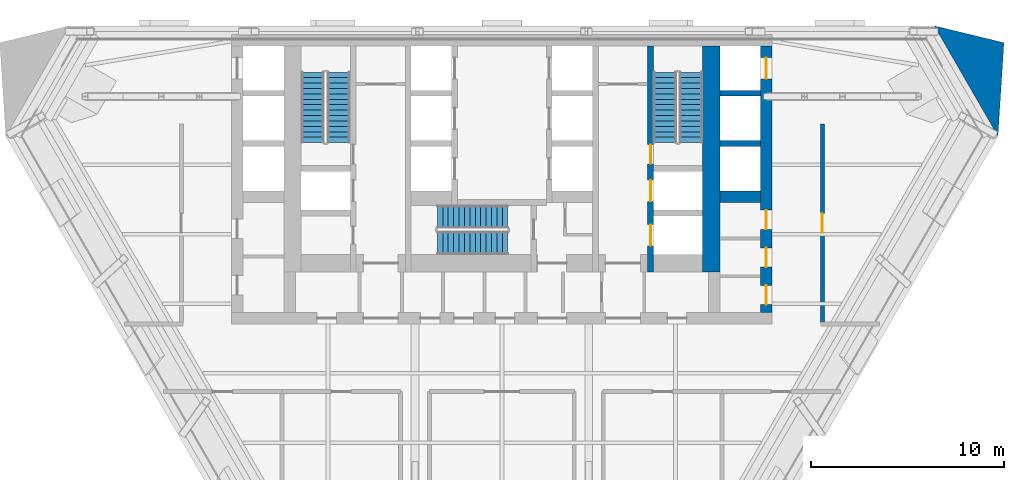
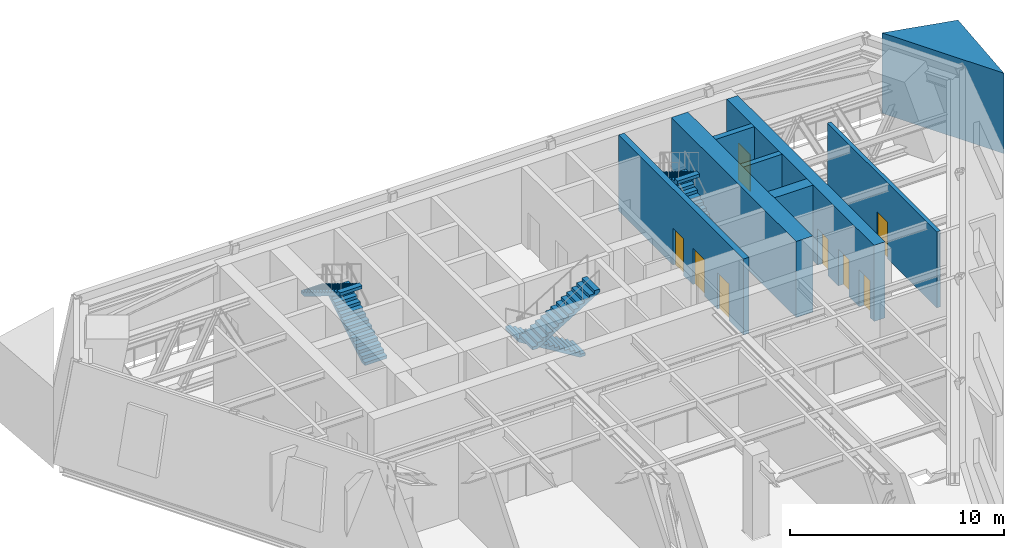
# One storey, part 5 of 9: 8 doors, 8 walls, 6 stair flights, 8 openings, 3 elements without a shape of their own.
"""IFC4 building model written with IfcOpenShell, lengths in metres."""

from ifc_helpers import new_model, si_unit, direction, frame, frame_2d, origin, place, context, subcontext, project, spatial, polyline, rectangle, outline, extrude, material, layer, layer_set, type_object, element, fill, aggregate, save


model = new_model("IFC4")

# Units and contexts
model_context = context("Model", 3, precision=1e-05, world=origin(), true_north=direction((0.0, 1.0)))
body_context = subcontext(model_context, "Body", "Model", "MODEL_VIEW")
ifc_project = project(units=[si_unit("LENGTHUNIT", "METRE"), si_unit("AREAUNIT", "SQUARE_METRE"), si_unit("VOLUMEUNIT", "CUBIC_METRE"), si_unit("PLANEANGLEUNIT", "RADIAN"), si_unit("MASSUNIT", "GRAM", prefix="KILO")], contexts=[model_context])

# Site, building, storey
site_placement = place(None, origin())
site = spatial("IfcSite", under=ifc_project, at=site_placement, CompositionType="ELEMENT")
building_placement = place(site_placement, origin())
building = spatial("IfcBuilding", under=site, at=building_placement, Name="Aloe Facet Convention Tower", CompositionType="ELEMENT")
storey_placement = place(building_placement, frame((0.0, 0.0, 77.0)))
storey = spatial("IfcBuildingStorey", under=building, at=storey_placement, Name="L18", CompositionType="ELEMENT", Elevation=77.0)

# Wall, openings, doors
ifc_material_1 = material(Name="Concrete C80/95", Category="concrete")
ifc_layer_1 = layer(ifc_material_1, 0.300048828125)
ifc_layer_set_1 = layer_set([ifc_layer_1], Name="CR-W-RC300-C8095")
wall_type_1 = type_object("IfcWallType", Name="CR-W-RC300-C8095", PredefinedType="SOLIDWALL", material=ifc_layer_set_1)
wall_1_placement = place(storey_placement, frame((87.699951171875, 133.949951171875, 0.0), z_axis=(0.0, 0.0, 1.0), x_axis=(0.0, -1.0, 0.0)))
wall_1 = element("IfcWall", 1, at=wall_1_placement, inside=storey, type_object=wall_type_1, Name="Core wall L18-042", PredefinedType="SOLIDWALL", context=body_context, shape_type="SweptSolid", body=[
    extrude(rectangle(XDim=11.699951171875, YDim=0.300048828125, at=frame_2d((5.85009765625, 0.0))), origin(), (0.0, 0.0, 1.0), 4.35009765625),
])
opening_1_placement = place(wall_1_placement, frame((6.949951171875, 0.0, 0.0)))
opening_1 = element("IfcOpeningElement", 2, at=opening_1_placement, cuts=wall_1, Name="Opening LD-FF2-L18", PredefinedType="OPENING", context=body_context, shape_type="SweptSolid", body=[
    extrude(rectangle(XDim=1.10009765625, YDim=2.10009765625, at=frame_2d((0.550048828125, 1.050048828125))), frame((0.0, 0.16015625, 0.0), z_axis=(0.0, -1.0, 0.0), x_axis=(1.0, 0.0, 0.0)), (0.0, 0.0, 1.0), 0.320068359375),
])
opening_2_placement = place(wall_1_placement, frame((5.10009765625, 0.0, 0.0)))
opening_2 = element("IfcOpeningElement", 3, at=opening_2_placement, cuts=wall_1, Name="Opening L18-CD31", PredefinedType="OPENING", context=body_context, shape_type="SweptSolid", body=[
    extrude(rectangle(XDim=1.0, YDim=2.10009765625, at=frame_2d((0.5, 1.050048828125))), frame((0.0, 0.16015625, 0.0), z_axis=(0.0, -1.0, 0.0), x_axis=(1.0, 0.0, 0.0)), (0.0, 0.0, 1.0), 0.320068359375),
])
opening_3_placement = place(wall_1_placement, frame((9.25, 0.0, 0.0)))
opening_3 = element("IfcOpeningElement", 4, at=opening_3_placement, cuts=wall_1, Name="Opening LD-SV1-L18", PredefinedType="OPENING", context=body_context, shape_type="SweptSolid", body=[
    extrude(rectangle(XDim=1.10009765625, YDim=2.10009765625, at=frame_2d((0.550048828125, 1.050048828125))), frame((0.0, 0.16015625, 0.0), z_axis=(0.0, -1.0, 0.0), x_axis=(1.0, 0.0, 0.0)), (0.0, 0.0, 1.0), 0.320068359375),
])
ifc_material_2 = material(Name="Steel fire-resisting door set FD120", Category="steel")
door_type_1 = type_object("IfcDoorType", Name="CR-D-STAIR-1000-FD120-SLEFT", OperationType="SINGLE_SWING_LEFT", PredefinedType="DOOR", material=ifc_material_2)
door_1_placement = place(opening_2_placement, origin())
door_1 = element("IfcDoor", 5, at=door_1_placement, inside=storey, type_object=door_type_1, Name="Core door L18-CD31", OperationType="SINGLE_SWING_LEFT", OverallHeight=2.10009765625, OverallWidth=1.0, PredefinedType="DOOR", context=body_context, shape_type="SweptSolid", body=[
    extrude(rectangle(XDim=1.0, YDim=2.10009765625, at=frame_2d((0.5, 1.050048828125))), frame((0.0, 0.02490234375, 0.0), z_axis=(0.0, -1.0, 0.0), x_axis=(1.0, 0.0, 0.0)), (0.0, 0.0, 1.0), 0.050048828125),
])
fill(opening_2, door_1)
ifc_material_3 = material(Name="Stainless steel sliding landing door", Category="steel")
door_type_2 = type_object("IfcDoorType", Name="CR-LD-1100-FD120-_LEFT", OperationType="SLIDING_TO_LEFT", PredefinedType="DOOR", material=ifc_material_3)
door_2_placement = place(opening_1_placement, origin())
door_2 = element("IfcDoor", 6, at=door_2_placement, inside=storey, type_object=door_type_2, Name="Landing door FF2 L18", OperationType="SLIDING_TO_LEFT", OverallHeight=2.10009765625, OverallWidth=1.10009765625, PredefinedType="DOOR", context=body_context, shape_type="SweptSolid", body=[
    extrude(rectangle(XDim=1.10009765625, YDim=2.10009765625, at=frame_2d((0.550048828125, 1.050048828125))), frame((0.0, 0.02490234375, 0.0), z_axis=(0.0, -1.0, 0.0), x_axis=(1.0, 0.0, 0.0)), (0.0, 0.0, 1.0), 0.050048828125),
])
fill(opening_1, door_2)
door_3_placement = place(opening_3_placement, origin())
door_3 = element("IfcDoor", 7, at=door_3_placement, inside=storey, type_object=door_type_2, Name="Landing door SV1 L18", OperationType="SLIDING_TO_LEFT", OverallHeight=2.10009765625, OverallWidth=1.10009765625, PredefinedType="DOOR", context=body_context, shape_type="SweptSolid", body=[
    extrude(rectangle(XDim=1.10009765625, YDim=2.10009765625, at=frame_2d((0.550048828125, 1.050048828125))), frame((0.0, 0.02490234375, 0.0), z_axis=(0.0, -1.0, 0.0), x_axis=(1.0, 0.0, 0.0)), (0.0, 0.0, 1.0), 0.050048828125),
])
fill(opening_3, door_3)

# Walls
for number, where, z_axis, x_axis, name in (
    (8, (91.300048828125, 131.5, 0.0), (0.0, 0.0, 1.0), (1.0, 0.0, 0.0), "Core wall L18-048"),
    (9, (91.300048828125, 128.89990234375, 0.0), (0.0, 0.0, 1.0), (1.0, 0.0, 0.0), "Core wall L18-049"),
):
    element("IfcWall", number, at=place(storey_placement, frame(where, z_axis=z_axis, x_axis=x_axis)), inside=storey, type_object=wall_type_1, Name=name, PredefinedType="SOLIDWALL", context=body_context, shape_type="SweptSolid", body=[
        extrude(rectangle(XDim=2.099853515625, YDim=0.300048828125, at=frame_2d((1.0498046875, 0.0))), origin(), (0.0, 0.0, 1.0), 4.35009765625),
    ])
ifc_material_4 = material(Name="Concrete C80/95", Category="concrete")
ifc_layer_2 = layer(ifc_material_4, 0.60009765625)
ifc_layer_set_2 = layer_set([ifc_layer_2], Name="CR-W-RC600-C8095")
wall_type_2 = type_object("IfcWallType", Name="CR-W-RC600-C8095", PredefinedType="SOLIDWALL", material=ifc_layer_set_2)
wall_2_placement = place(storey_placement, frame((91.300048828125, 126.14990234375, 0.0), z_axis=(0.0, 0.0, 1.0), x_axis=(1.0, 0.0, 0.0)))
element("IfcWall", 10, at=wall_2_placement, inside=storey, type_object=wall_type_2, Name="Core wall L18-050", PredefinedType="SOLIDWALL", context=body_context, shape_type="SweptSolid", body=[
    extrude(rectangle(XDim=2.099853515625, YDim=0.60009765625, at=frame_2d((1.0498046875, 0.0))), origin(), (0.0, 0.0, 1.0), 4.35009765625),
])

# Wall, openings, doors
wall_3_placement = place(storey_placement, frame((93.699951171875, 133.949951171875, 0.0), z_axis=(0.0, 0.0, 1.0), x_axis=(0.0, -1.0, 0.0)))
wall_3 = element("IfcWall", 11, at=wall_3_placement, inside=storey, type_object=wall_type_2, Name="Core wall L18-053", PredefinedType="SOLIDWALL", context=body_context, shape_type="SweptSolid", body=[
    extrude(rectangle(XDim=13.800048828125, YDim=0.60009765625, at=frame_2d((6.89990234375, 0.0))), origin(), (0.0, 0.0, 1.0), 4.35009765625),
])
opening_4_placement = place(wall_3_placement, frame((0.60009765625, 0.0, 0.0)))
opening_4 = element("IfcOpeningElement", 12, at=opening_4_placement, cuts=wall_3, Name="Opening LD-A8-L18", PredefinedType="OPENING", context=body_context, shape_type="SweptSolid", body=[
    extrude(rectangle(XDim=1.10009765625, YDim=2.10009765625, at=frame_2d((0.550048828125, 1.050048828125))), frame((0.0, 0.31005859375, 0.0), z_axis=(0.0, -1.0, 0.0), x_axis=(1.0, 0.0, 0.0)), (0.0, 0.0, 1.0), 0.6201171875),
])
opening_5_placement = place(wall_3_placement, frame((12.39990234375, 0.0, 0.0)))
opening_5 = element("IfcOpeningElement", 13, at=opening_5_placement, cuts=wall_3, Name="Opening L18-CD09", PredefinedType="OPENING", context=body_context, shape_type="SweptSolid", body=[
    extrude(rectangle(XDim=1.0, YDim=2.10009765625, at=frame_2d((0.5, 1.050048828125))), frame((0.0, 0.31005859375, 0.0), z_axis=(0.0, -1.0, 0.0), x_axis=(1.0, 0.0, 0.0)), (0.0, 0.0, 1.0), 0.6201171875),
])
opening_6_placement = place(wall_3_placement, frame((8.5, 0.0, 0.0)))
opening_6 = element("IfcOpeningElement", 14, at=opening_6_placement, cuts=wall_3, Name="Opening L18-CD10", PredefinedType="OPENING", context=body_context, shape_type="SweptSolid", body=[
    extrude(rectangle(XDim=1.0, YDim=2.10009765625, at=frame_2d((0.5, 1.050048828125))), frame((0.0, 0.31005859375, 0.0), z_axis=(0.0, -1.0, 0.0), x_axis=(1.0, 0.0, 0.0)), (0.0, 0.0, 1.0), 0.6201171875),
])
opening_7_placement = place(wall_3_placement, frame((10.449951171875, 0.0, 0.0)))
opening_7 = element("IfcOpeningElement", 15, at=opening_7_placement, cuts=wall_3, Name="Opening L18-CD11", PredefinedType="OPENING", context=body_context, shape_type="SweptSolid", body=[
    extrude(rectangle(XDim=1.0, YDim=2.10009765625, at=frame_2d((0.5, 1.050048828125))), frame((0.0, 0.31005859375, 0.0), z_axis=(0.0, -1.0, 0.0), x_axis=(1.0, 0.0, 0.0)), (0.0, 0.0, 1.0), 0.6201171875),
])
ifc_material_5 = material(Name="Steel fire-resisting door set FD60", Category="steel")
door_type_3 = type_object("IfcDoorType", Name="CR-D-ROOM-1000-FD60-SLEFT", OperationType="SINGLE_SWING_LEFT", PredefinedType="DOOR", material=ifc_material_5)
door_4_placement = place(opening_5_placement, origin())
door_4 = element("IfcDoor", 16, at=door_4_placement, inside=storey, type_object=door_type_3, Name="Core door L18-CD09", OperationType="SINGLE_SWING_LEFT", OverallHeight=2.10009765625, OverallWidth=1.0, PredefinedType="DOOR", context=body_context, shape_type="SweptSolid", body=[
    extrude(rectangle(XDim=1.0, YDim=2.10009765625, at=frame_2d((0.5, 1.050048828125))), frame((0.0, 0.02490234375, 0.0), z_axis=(0.0, -1.0, 0.0), x_axis=(1.0, 0.0, 0.0)), (0.0, 0.0, 1.0), 0.050048828125),
])
fill(opening_5, door_4)
door_5_placement = place(opening_6_placement, origin())
door_5 = element("IfcDoor", 17, at=door_5_placement, inside=storey, type_object=door_type_3, Name="Core door L18-CD10", OperationType="SINGLE_SWING_LEFT", OverallHeight=2.10009765625, OverallWidth=1.0, PredefinedType="DOOR", context=body_context, shape_type="SweptSolid", body=[
    extrude(rectangle(XDim=1.0, YDim=2.10009765625, at=frame_2d((0.5, 1.050048828125))), frame((0.0, 0.02490234375, 0.0), z_axis=(0.0, -1.0, 0.0), x_axis=(1.0, 0.0, 0.0)), (0.0, 0.0, 1.0), 0.050048828125),
])
fill(opening_6, door_5)
door_6_placement = place(opening_7_placement, origin())
door_6 = element("IfcDoor", 18, at=door_6_placement, inside=storey, type_object=door_type_3, Name="Core door L18-CD11", OperationType="SINGLE_SWING_LEFT", OverallHeight=2.10009765625, OverallWidth=1.0, PredefinedType="DOOR", context=body_context, shape_type="SweptSolid", body=[
    extrude(rectangle(XDim=1.0, YDim=2.10009765625, at=frame_2d((0.5, 1.050048828125))), frame((0.0, 0.02490234375, 0.0), z_axis=(0.0, -1.0, 0.0), x_axis=(1.0, 0.0, 0.0)), (0.0, 0.0, 1.0), 0.050048828125),
])
fill(opening_7, door_6)
ifc_material_6 = material(Name="Stainless steel sliding landing door", Category="steel")
door_type_4 = type_object("IfcDoorType", Name="CR-LD-1100-FD60-_LEFT", OperationType="SLIDING_TO_LEFT", PredefinedType="DOOR", material=ifc_material_6)
door_7_placement = place(opening_4_placement, origin())
door_7 = element("IfcDoor", 19, at=door_7_placement, inside=storey, type_object=door_type_4, Name="Landing door A8 L18", OperationType="SLIDING_TO_LEFT", OverallHeight=2.10009765625, OverallWidth=1.10009765625, PredefinedType="DOOR", context=body_context, shape_type="SweptSolid", body=[
    extrude(rectangle(XDim=1.10009765625, YDim=2.10009765625, at=frame_2d((0.550048828125, 1.050048828125))), frame((0.0, 0.02490234375, 0.0), z_axis=(0.0, -1.0, 0.0), x_axis=(1.0, 0.0, 0.0)), (0.0, 0.0, 1.0), 0.050048828125),
])
fill(opening_4, door_7)

# Walls
ifc_material_7 = material(Name="Concrete C80/95", Category="concrete")
ifc_layer_3 = layer(ifc_material_7, 0.89990234375)
ifc_layer_set_3 = layer_set([ifc_layer_3], Name="CR-W-RC900-C8095")
wall_type_3 = type_object("IfcWallType", Name="CR-W-RC900-C8095", PredefinedType="SOLIDWALL", material=ifc_layer_set_3)
wall_4_placement = place(storey_placement, frame((90.85009765625, 133.949951171875, 0.0), z_axis=(0.0, 0.0, 1.0), x_axis=(0.0, -1.0, 0.0)))
element("IfcWall", 20, at=wall_4_placement, inside=storey, type_object=wall_type_3, Name="Core wall L18-046", PredefinedType="SOLIDWALL", context=body_context, shape_type="SweptSolid", body=[
    extrude(rectangle(XDim=11.699951171875, YDim=0.89990234375, at=frame_2d((5.85009765625, 0.0))), origin(), (0.0, 0.0, 1.0), 4.35009765625),
])
ifc_material_8 = material(Name="Precast concrete C40/50", Category="concrete")
ifc_layer_4 = layer(ifc_material_8, 3.947998046875)
ifc_layer_set_4 = layer_set([ifc_layer_4], Name="EV-WALL-SPINE")
wall_type_4 = type_object("IfcWallType", Name="EV-WALL-SPINE", PredefinedType="SOLIDWALL", material=ifc_layer_set_4)
wall_5_placement = place(storey_placement, frame((0.0, 0.0, -0.25)))
element("IfcWall", 21, at=wall_5_placement, inside=storey, type_object=wall_type_4, Name="SP-NE-L18", PredefinedType="SOLIDWALL", context=body_context, shape_type="SweptSolid", body=[
    extrude(outline(polyline([(105.699951171875, 129.2841796875), (106.011474609375, 134.125244140625), (102.39990234375, 135.0), (105.699951171875, 129.2841796875)])), origin(), (0.0, 0.0, 1.0), 4.60009765625),
])

# Wall, opening, door
ifc_material_9 = material(Name="Masonry blockwork wall, plastered", Category="masonry")
ifc_layer_5 = layer(ifc_material_9, 0.199951171875)
ifc_layer_set_5 = layer_set([ifc_layer_5], Name="IN-POD-W-PLANT")
wall_type_5 = type_object("IfcWallType", Name="IN-POD-W-PLANT", PredefinedType="PARTITIONING", material=ifc_layer_set_5)
wall_6_placement = place(storey_placement, frame((96.60009765625, 119.635009765625, 0.0), z_axis=(0.0, 0.0, 1.0), x_axis=(0.0, 1.0, 0.0)))
wall_6 = element("IfcWall", 22, at=wall_6_placement, inside=storey, type_object=wall_type_5, Name="Partition L18-W011", PredefinedType="PARTITIONING", context=body_context, shape_type="SweptSolid", body=[
    extrude(rectangle(XDim=10.264892578125, YDim=0.199951171875, at=frame_2d((5.13232421875, 0.0))), origin(), (0.0, 0.0, 1.0), 4.35009765625),
])
opening_8_placement = place(wall_6_placement, frame((4.632568359375, 0.0, 0.0)))
opening_8 = element("IfcOpeningElement", 23, at=opening_8_placement, cuts=wall_6, Name="Opening L18-002", PredefinedType="OPENING", context=body_context, shape_type="SweptSolid", body=[
    extrude(rectangle(XDim=1.0, YDim=2.10009765625, at=frame_2d((0.5, 1.050048828125))), frame((0.0, 0.10986328125, 0.0), z_axis=(0.0, -1.0, 0.0), x_axis=(1.0, 0.0, 0.0)), (0.0, 0.0, 1.0), 0.219970703125),
])
ifc_material_10 = material(Name="Steel flush door, galvanised", Category="steel")
door_type_5 = type_object("IfcDoorType", Name="IN-POD-D-PLANT", OperationType="SINGLE_SWING_LEFT", PredefinedType="DOOR", material=ifc_material_10)
door_8_placement = place(opening_8_placement, origin())
door_8 = element("IfcDoor", 24, at=door_8_placement, inside=storey, type_object=door_type_5, Name="Door L18-002", OperationType="SINGLE_SWING_LEFT", OverallHeight=2.10009765625, OverallWidth=1.0, PredefinedType="DOOR", context=body_context, shape_type="SweptSolid", body=[
    extrude(rectangle(XDim=1.0, YDim=2.10009765625, at=frame_2d((0.5, 1.050048828125))), frame((0.0, 0.02490234375, 0.0), z_axis=(0.0, -1.0, 0.0), x_axis=(1.0, 0.0, 0.0)), (0.0, 0.0, 1.0), 0.050048828125),
])
fill(opening_8, door_8)

# Stair, stair flights
ifc_material_11 = material(Name="Concrete C50/60", Category="concrete")
stair_type = type_object("IfcStairType", Name="CR-ST-28R", PredefinedType="HALF_TURN_STAIR", material=ifc_material_11)
stair_1_placement = place(storey_placement, origin())
stair_1 = element("IfcStair", 25, at=stair_1_placement, inside=storey, type_object=stair_type, Name="L18 Protected exit stair ST1", PredefinedType="HALF_TURN_STAIR")
ifc_material_12 = material(Name="Concrete C50/60", Category="concrete")
stair_flight_type = type_object("IfcStairFlightType", Name="CR-SFL-28R", PredefinedType="STRAIGHT", material=ifc_material_12)
stair_flight_1_placement = place(storey_placement, frame((71.550048828125, 128.949951171875, 0.0), z_axis=(0.0, 0.0, 1.0), x_axis=(0.0, 1.0, 0.0)))
stair_flight_1 = element("IfcStairFlight", 26, at=stair_flight_1_placement, type_object=stair_flight_type, Name="ST1 flight 1", NumberOfRisers=14, NumberOfTreads=13, PredefinedType="STRAIGHT", RiserHeight=0.171428571, TreadLength=0.28, context=body_context, shape_type="SweptSolid", body=[
    extrude(outline(polyline([(0.0, 0.0), (0.0, 0.17138671875), (0.280029296875, 0.17138671875), (0.280029296875, 0.3427734375), (0.56005859375, 0.3427734375), (0.56005859375, 0.514404296875), (0.840087890625, 0.514404296875), (0.840087890625, 0.685791015625), (1.1201171875, 0.685791015625), (1.1201171875, 0.857177734375), (1.39990234375, 0.857177734375), (1.39990234375, 1.028564453125), (1.679931640625, 1.028564453125), (1.679931640625, 1.199951171875), (1.9599609375, 1.199951171875), (1.9599609375, 1.371337890625), (2.239990234375, 1.371337890625), (2.239990234375, 1.54296875), (2.52001953125, 1.54296875), (2.52001953125, 1.71435546875), (2.800048828125, 1.71435546875), (2.800048828125, 1.8857421875), (3.080078125, 1.8857421875), (3.080078125, 2.05712890625), (3.360107421875, 2.05712890625), (3.360107421875, 2.228515625), (3.639892578125, 2.228515625), (3.639892578125, 2.39990234375), (3.639892578125, 2.052734375), (0.287109375, 0.0), (0.0, 0.0)])), frame((0.0, 0.60009765625, 0.0), z_axis=(0.0, -1.0, 0.0), x_axis=(1.0, 0.0, 0.0)), (0.0, 0.0, 1.0), 1.199951171875),
])
stair_flight_2_placement = place(storey_placement, frame((70.199951171875, 132.590087890625, 2.39990234375), z_axis=(0.0, 0.0, 1.0), x_axis=(0.0, -1.0, 0.0)))
stair_flight_2 = element("IfcStairFlight", 27, at=stair_flight_2_placement, type_object=stair_flight_type, Name="ST1 flight 2", NumberOfRisers=14, NumberOfTreads=13, PredefinedType="STRAIGHT", RiserHeight=0.171428571, TreadLength=0.28, context=body_context, shape_type="SweptSolid", body=[
    extrude(outline(polyline([(0.0, 0.0), (0.0, 0.17138671875), (0.280029296875, 0.17138671875), (0.280029296875, 0.3427734375), (0.56005859375, 0.3427734375), (0.56005859375, 0.514404296875), (0.840087890625, 0.514404296875), (0.840087890625, 0.685791015625), (1.1201171875, 0.685791015625), (1.1201171875, 0.857177734375), (1.39990234375, 0.857177734375), (1.39990234375, 1.028564453125), (1.679931640625, 1.028564453125), (1.679931640625, 1.199951171875), (1.9599609375, 1.199951171875), (1.9599609375, 1.371337890625), (2.239990234375, 1.371337890625), (2.239990234375, 1.54296875), (2.52001953125, 1.54296875), (2.52001953125, 1.71435546875), (2.800048828125, 1.71435546875), (2.800048828125, 1.8857421875), (3.080078125, 1.8857421875), (3.080078125, 2.05712890625), (3.360107421875, 2.05712890625), (3.360107421875, 2.228515625), (3.639892578125, 2.228515625), (3.639892578125, 2.39990234375), (3.639892578125, 2.052734375), (0.287109375, 0.0), (0.0, 0.0)])), frame((0.0, 0.60009765625, 0.0), z_axis=(0.0, -1.0, 0.0), x_axis=(1.0, 0.0, 0.0)), (0.0, 0.0, 1.0), 1.199951171875),
])
aggregate(stair_1, [stair_flight_1, stair_flight_2])

stair_2_placement = place(storey_placement, origin())
stair_2 = element("IfcStair", 28, at=stair_2_placement, inside=storey, type_object=stair_type, Name="L18 Protected exit stair ST2", PredefinedType="HALF_TURN_STAIR")
stair_flight_3_placement = place(storey_placement, frame((89.800048828125, 128.949951171875, 0.0), z_axis=(0.0, 0.0, 1.0), x_axis=(0.0, 1.0, 0.0)))
stair_flight_3 = element("IfcStairFlight", 29, at=stair_flight_3_placement, type_object=stair_flight_type, Name="ST2 flight 1", NumberOfRisers=14, NumberOfTreads=13, PredefinedType="STRAIGHT", RiserHeight=0.171428571, TreadLength=0.28, context=body_context, shape_type="SweptSolid", body=[
    extrude(outline(polyline([(0.0, 0.0), (0.0, 0.17138671875), (0.280029296875, 0.17138671875), (0.280029296875, 0.3427734375), (0.56005859375, 0.3427734375), (0.56005859375, 0.514404296875), (0.840087890625, 0.514404296875), (0.840087890625, 0.685791015625), (1.1201171875, 0.685791015625), (1.1201171875, 0.857177734375), (1.39990234375, 0.857177734375), (1.39990234375, 1.028564453125), (1.679931640625, 1.028564453125), (1.679931640625, 1.199951171875), (1.9599609375, 1.199951171875), (1.9599609375, 1.371337890625), (2.239990234375, 1.371337890625), (2.239990234375, 1.54296875), (2.52001953125, 1.54296875), (2.52001953125, 1.71435546875), (2.800048828125, 1.71435546875), (2.800048828125, 1.8857421875), (3.080078125, 1.8857421875), (3.080078125, 2.05712890625), (3.360107421875, 2.05712890625), (3.360107421875, 2.228515625), (3.639892578125, 2.228515625), (3.639892578125, 2.39990234375), (3.639892578125, 2.052734375), (0.287109375, 0.0), (0.0, 0.0)])), frame((0.0, 0.60009765625, 0.0), z_axis=(0.0, -1.0, 0.0), x_axis=(1.0, 0.0, 0.0)), (0.0, 0.0, 1.0), 1.199951171875),
])
stair_flight_4_placement = place(storey_placement, frame((88.449951171875, 132.590087890625, 2.39990234375), z_axis=(0.0, 0.0, 1.0), x_axis=(0.0, -1.0, 0.0)))
stair_flight_4 = element("IfcStairFlight", 30, at=stair_flight_4_placement, type_object=stair_flight_type, Name="ST2 flight 2", NumberOfRisers=14, NumberOfTreads=13, PredefinedType="STRAIGHT", RiserHeight=0.171428571, TreadLength=0.28, context=body_context, shape_type="SweptSolid", body=[
    extrude(outline(polyline([(0.0, 0.0), (0.0, 0.17138671875), (0.280029296875, 0.17138671875), (0.280029296875, 0.3427734375), (0.56005859375, 0.3427734375), (0.56005859375, 0.514404296875), (0.840087890625, 0.514404296875), (0.840087890625, 0.685791015625), (1.1201171875, 0.685791015625), (1.1201171875, 0.857177734375), (1.39990234375, 0.857177734375), (1.39990234375, 1.028564453125), (1.679931640625, 1.028564453125), (1.679931640625, 1.199951171875), (1.9599609375, 1.199951171875), (1.9599609375, 1.371337890625), (2.239990234375, 1.371337890625), (2.239990234375, 1.54296875), (2.52001953125, 1.54296875), (2.52001953125, 1.71435546875), (2.800048828125, 1.71435546875), (2.800048828125, 1.8857421875), (3.080078125, 1.8857421875), (3.080078125, 2.05712890625), (3.360107421875, 2.05712890625), (3.360107421875, 2.228515625), (3.639892578125, 2.228515625), (3.639892578125, 2.39990234375), (3.639892578125, 2.052734375), (0.287109375, 0.0), (0.0, 0.0)])), frame((0.0, 0.60009765625, 0.0), z_axis=(0.0, -1.0, 0.0), x_axis=(1.0, 0.0, 0.0)), (0.0, 0.0, 1.0), 1.199951171875),
])
aggregate(stair_2, [stair_flight_3, stair_flight_4])

stair_3_placement = place(storey_placement, origin())
stair_3 = element("IfcStair", 31, at=stair_3_placement, inside=storey, type_object=stair_type, Name="L18 Protected exit stair ST3", PredefinedType="HALF_TURN_STAIR")
stair_flight_5_placement = place(storey_placement, frame((80.300048828125, 125.10009765625, 0.0), z_axis=(0.0, 0.0, 1.0), x_axis=(-1.0, 0.0, 0.0)))
stair_flight_5 = element("IfcStairFlight", 32, at=stair_flight_5_placement, type_object=stair_flight_type, Name="ST3 flight 1", NumberOfRisers=14, NumberOfTreads=13, PredefinedType="STRAIGHT", RiserHeight=0.171428571, TreadLength=0.28, context=body_context, shape_type="SweptSolid", body=[
    extrude(outline(polyline([(0.0, 0.0), (0.0, 0.17138671875), (0.280029296875, 0.17138671875), (0.280029296875, 0.3427734375), (0.56005859375, 0.3427734375), (0.56005859375, 0.514404296875), (0.840087890625, 0.514404296875), (0.840087890625, 0.685791015625), (1.1201171875, 0.685791015625), (1.1201171875, 0.857177734375), (1.39990234375, 0.857177734375), (1.39990234375, 1.028564453125), (1.679931640625, 1.028564453125), (1.679931640625, 1.199951171875), (1.9599609375, 1.199951171875), (1.9599609375, 1.371337890625), (2.239990234375, 1.371337890625), (2.239990234375, 1.54296875), (2.52001953125, 1.54296875), (2.52001953125, 1.71435546875), (2.800048828125, 1.71435546875), (2.800048828125, 1.8857421875), (3.080078125, 1.8857421875), (3.080078125, 2.05712890625), (3.360107421875, 2.05712890625), (3.360107421875, 2.228515625), (3.639892578125, 2.228515625), (3.639892578125, 2.39990234375), (3.639892578125, 2.052734375), (0.287109375, 0.0), (0.0, 0.0)])), frame((0.0, 0.60009765625, 0.0), z_axis=(0.0, -1.0, 0.0), x_axis=(1.0, 0.0, 0.0)), (0.0, 0.0, 1.0), 1.199951171875),
])
stair_flight_6_placement = place(storey_placement, frame((76.659912109375, 123.75, 2.39990234375), z_axis=(0.0, 0.0, 1.0), x_axis=(1.0, 0.0, 0.0)))
stair_flight_6 = element("IfcStairFlight", 33, at=stair_flight_6_placement, type_object=stair_flight_type, Name="ST3 flight 2", NumberOfRisers=14, NumberOfTreads=13, PredefinedType="STRAIGHT", RiserHeight=0.171428571, TreadLength=0.28, context=body_context, shape_type="SweptSolid", body=[
    extrude(outline(polyline([(0.0, 0.0), (0.0, 0.17138671875), (0.280029296875, 0.17138671875), (0.280029296875, 0.3427734375), (0.56005859375, 0.3427734375), (0.56005859375, 0.514404296875), (0.840087890625, 0.514404296875), (0.840087890625, 0.685791015625), (1.1201171875, 0.685791015625), (1.1201171875, 0.857177734375), (1.39990234375, 0.857177734375), (1.39990234375, 1.028564453125), (1.679931640625, 1.028564453125), (1.679931640625, 1.199951171875), (1.9599609375, 1.199951171875), (1.9599609375, 1.371337890625), (2.239990234375, 1.371337890625), (2.239990234375, 1.54296875), (2.52001953125, 1.54296875), (2.52001953125, 1.71435546875), (2.800048828125, 1.71435546875), (2.800048828125, 1.8857421875), (3.080078125, 1.8857421875), (3.080078125, 2.05712890625), (3.360107421875, 2.05712890625), (3.360107421875, 2.228515625), (3.639892578125, 2.228515625), (3.639892578125, 2.39990234375), (3.639892578125, 2.052734375), (0.287109375, 0.0), (0.0, 0.0)])), frame((0.0, 0.60009765625, 0.0), z_axis=(0.0, -1.0, 0.0), x_axis=(1.0, 0.0, 0.0)), (0.0, 0.0, 1.0), 1.199951171875),
])
aggregate(stair_3, [stair_flight_5, stair_flight_6])

save(model, "model.ifc")
